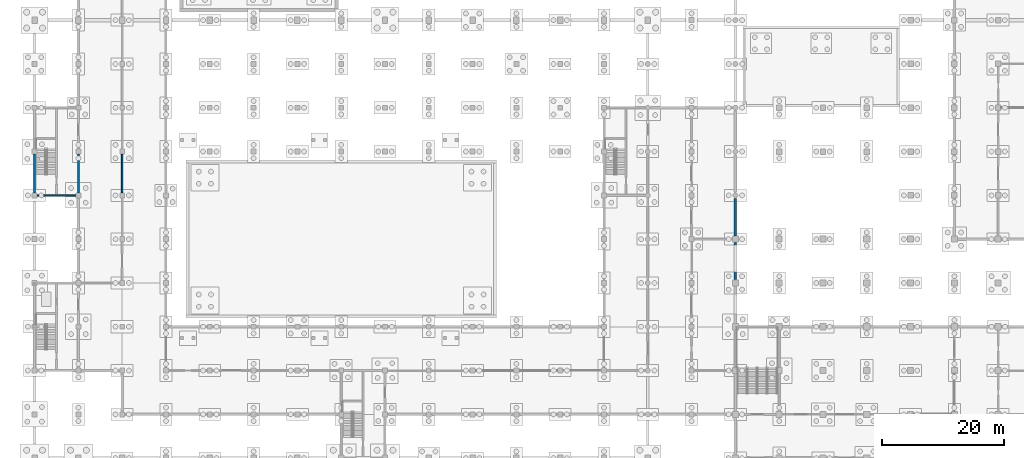
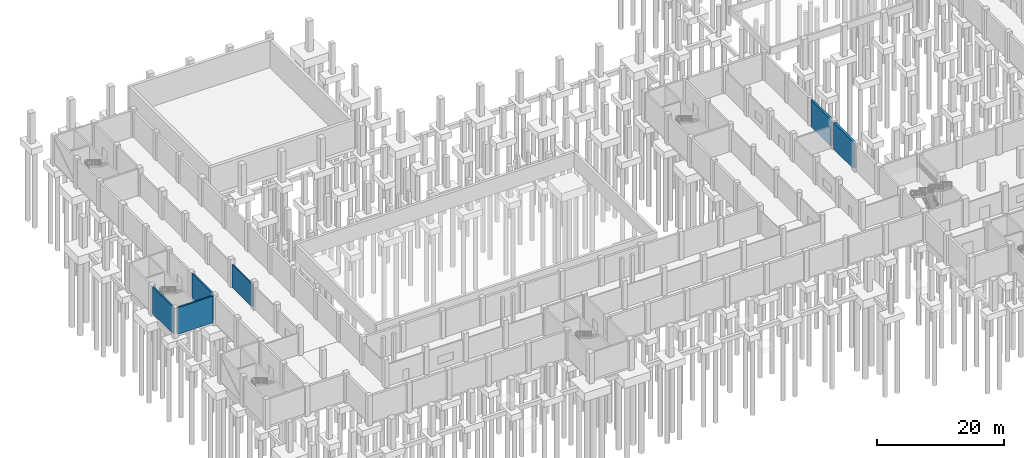
# One storey, part 21 of 35: 6 walls.
"""IFC4 building model written with IfcOpenShell, lengths in metres."""

from ifc_helpers import new_model, si_unit, direction, frame, frame_2d, origin, place, context, subcontext, project, spatial, rectangle, extrude, material, layer, layer_set, type_object, element, save


model = new_model("IFC4")

# Units and contexts
model_context = context("Model", 3, precision=1e-05, world=origin(), true_north=direction((0.0, 1.0)))
body_context = subcontext(model_context, "Body", "Model", "MODEL_VIEW")
ifc_project = project(units=[si_unit("LENGTHUNIT", "METRE"), si_unit("AREAUNIT", "SQUARE_METRE"), si_unit("VOLUMEUNIT", "CUBIC_METRE"), si_unit("PLANEANGLEUNIT", "RADIAN"), si_unit("MASSUNIT", "GRAM", prefix="KILO")], contexts=[model_context])

# Site, building, storey
site_placement = place(None, origin())
site = spatial("IfcSite", under=ifc_project, at=site_placement, CompositionType="ELEMENT")
building_placement = place(site_placement, origin())
building = spatial("IfcBuilding", under=site, at=building_placement, Name="Vesperath Aquatics Centre", CompositionType="ELEMENT")
storey_placement = place(building_placement, frame((0.0, 0.0, -5.39990234375)))
storey = spatial("IfcBuildingStorey", under=building, at=storey_placement, Name="B1", CompositionType="ELEMENT", Elevation=-5.39990234375)

# Walls
ifc_material_1 = material(Name="Autoclaved aerated masonry blockwork", Category="masonry")
ifc_layer_1 = layer(ifc_material_1, 0.22998046875)
ifc_layer_set_1 = layer_set([ifc_layer_1], Name="Autoclaved aerated masonry blockwork")
wall_type_1 = type_object("IfcWallType", Name="WL-FW01", PredefinedType="SOLIDWALL", material=ifc_layer_set_1)
wall_1_placement = place(storey_placement, frame((14.39990234375, 58.050048828125, 0.0), z_axis=(0.0, 0.0, 1.0), x_axis=(0.0, 1.0, 0.0)))
element("IfcWall", 1, at=wall_1_placement, inside=storey, type_object=wall_type_1, Name="Interior Partition FW01 B1_DIVE_PLT-E3", PredefinedType="SOLIDWALL", context=body_context, shape_type="SweptSolid", body=[
    extrude(rectangle(XDim=6.300048828125, YDim=0.22998046875, at=frame_2d((3.14990234375, 0.0))), origin(), (0.0, 0.0, 1.0), 4.369873046875),
])
ifc_material_2 = material(Name="Concrete C40", Category="concrete")
ifc_layer_2 = layer(ifc_material_2, 0.39990234375)
ifc_layer_set_2 = layer_set([ifc_layer_2], Name="Concrete C40")
wall_type_2 = type_object("IfcWallType", Name="WL-RW01", PredefinedType="USERDEFINED", material=ifc_layer_set_2)
for number, where, z_axis, x_axis, name in (
    (2, (115.199951171875, 43.75, 0.0), (0.0, 0.0, 1.0), (0.0, 1.0, 0.0), "Basement Retaining Wall RW01-V068"),
    (3, (115.199951171875, 50.949951171875, 0.0), (0.0, 0.0, 1.0), (0.0, 1.0, 0.0), "Basement Retaining Wall RW01-V069"),
):
    element("IfcWall", number, at=place(storey_placement, frame(where, z_axis=z_axis, x_axis=x_axis)), inside=storey, type_object=wall_type_2, Name=name, ObjectType="RETAININGWALL", PredefinedType="USERDEFINED", context=body_context, shape_type="SweptSolid", body=[
        extrude(rectangle(XDim=6.10009765625, YDim=0.39990234375, at=frame_2d((3.050048828125, 0.0))), origin(), (0.0, 0.0, 1.0), 5.119873046875),
    ])
ifc_layer_3 = layer(ifc_material_2, 0.280029296875)
ifc_layer_set_3 = layer_set([ifc_layer_3], Name="Concrete C40")
wall_type_3 = type_object("IfcWallType", Name="WL-SW02", PredefinedType="SHEAR", material=ifc_layer_set_3)
wall_2_placement = place(storey_placement, frame((0.39990234375, 57.60009765625, 0.0), z_axis=(0.0, 0.0, 1.0), x_axis=(1.0, 0.0, 0.0)))
element("IfcWall", 4, at=wall_2_placement, inside=storey, type_object=wall_type_3, Name="Core C2 South Shear Wall SW02 B1", PredefinedType="SHEAR", context=body_context, shape_type="SweptSolid", body=[
    extrude(rectangle(XDim=6.400146484375, YDim=0.280029296875, at=frame_2d((3.2001953125, 0.0))), origin(), (0.0, 0.0, 1.0), 5.119873046875),
])
for number, where, z_axis, x_axis, name in (
    (5, (0.0, 58.0, 0.0), (0.0, 0.0, 1.0), (0.0, 1.0, 0.0), "Core C2 West-1 Shear Wall SW02 B1"),
    (6, (7.199951171875, 58.0, 0.0), (0.0, 0.0, 1.0), (0.0, 1.0, 0.0), "Core C2 East-1 Shear Wall SW02 B1"),
):
    element("IfcWall", number, at=place(storey_placement, frame(where, z_axis=z_axis, x_axis=x_axis)), inside=storey, type_object=wall_type_3, Name=name, PredefinedType="SHEAR", context=body_context, shape_type="SweptSolid", body=[
        extrude(rectangle(XDim=6.39990234375, YDim=0.280029296875, at=frame_2d((3.199951171875, 0.0))), origin(), (0.0, 0.0, 1.0), 5.119873046875),
    ])

save(model, "model.ifc")
